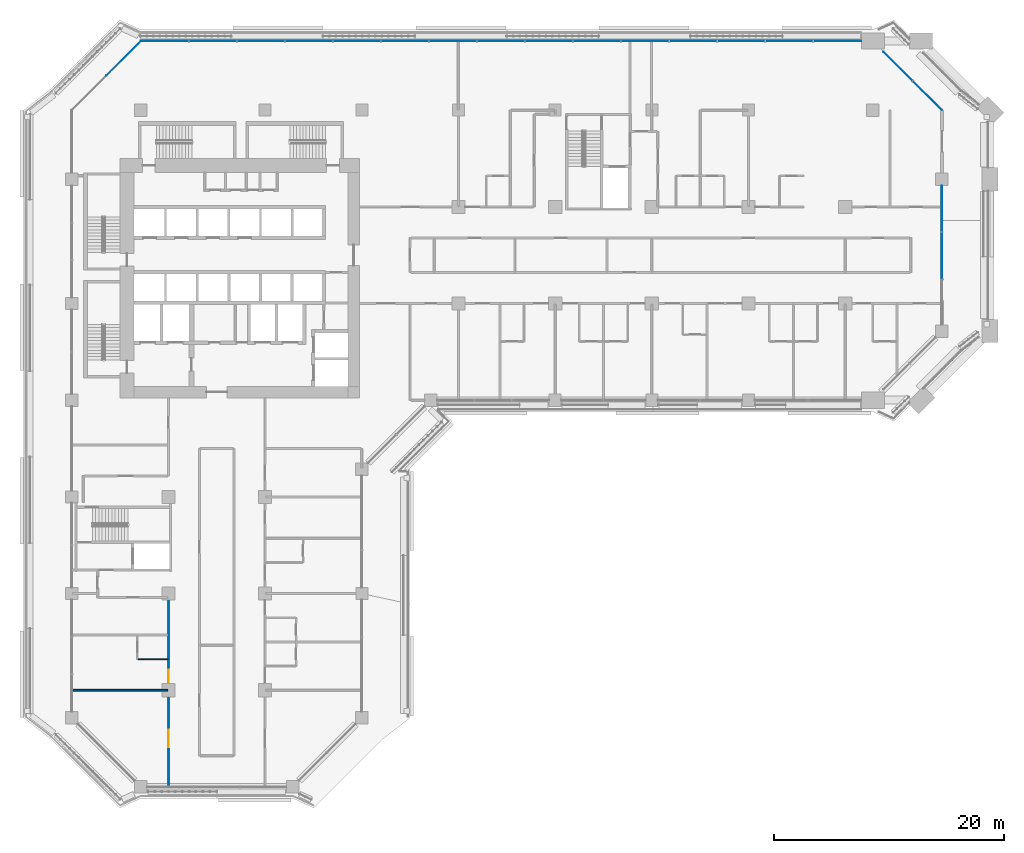
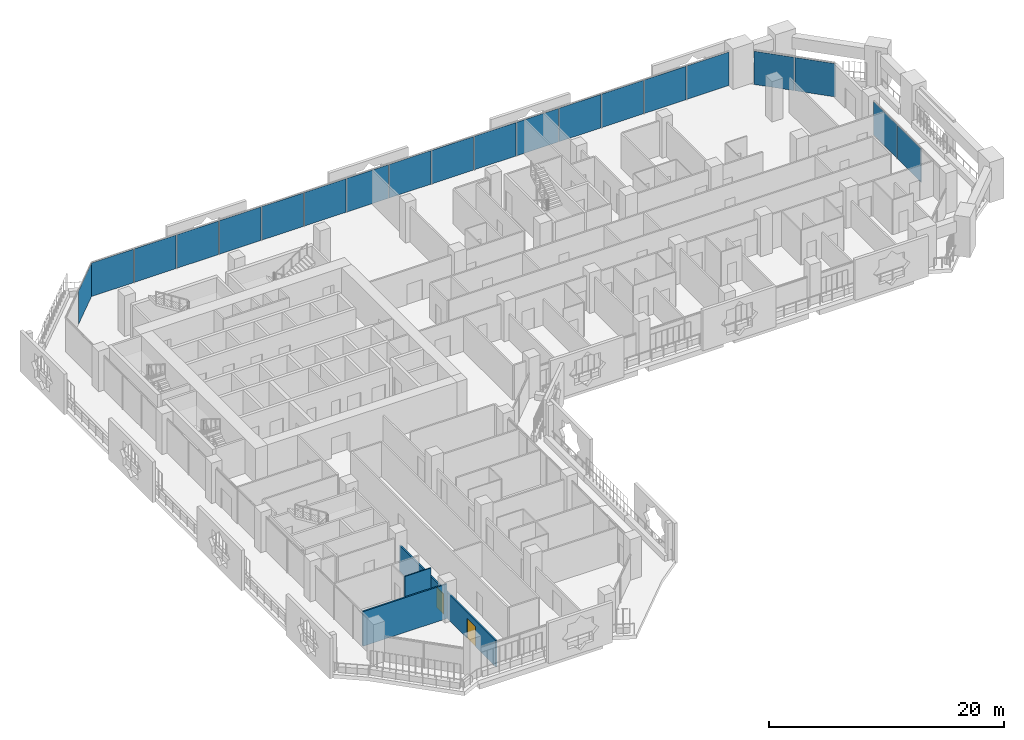
# One storey, part 12 of 27: 20 plates, 3 walls, 2 doors, 2 openings, 4 elements without a shape of their own.
"""IFC4 building model written with IfcOpenShell, lengths in metres."""

from ifc_helpers import new_model, si_unit, direction, frame, frame_2d, origin, origin_2d, place, context, subcontext, project, spatial, rectangle, extrude, material, layer, layer_set, type_object, element, fill, aggregate, save


model = new_model("IFC4")

# Units and contexts
model_context = context("Model", 3, precision=1e-05, world=origin(), true_north=direction((0.0, 1.0)))
body_context = subcontext(model_context, "Body", "Model", "MODEL_VIEW")
ifc_project = project(units=[si_unit("LENGTHUNIT", "METRE"), si_unit("AREAUNIT", "SQUARE_METRE"), si_unit("VOLUMEUNIT", "CUBIC_METRE"), si_unit("PLANEANGLEUNIT", "RADIAN"), si_unit("MASSUNIT", "GRAM", prefix="KILO")], contexts=[model_context])

# Site, building, storey
site_placement = place(None, origin())
site = spatial("IfcSite", under=ifc_project, at=site_placement, CompositionType="ELEMENT")
building_placement = place(site_placement, origin())
building = spatial("IfcBuilding", under=site, at=building_placement, Name="Kawkab Arch Medical Tower", CompositionType="ELEMENT")
storey_placement = place(building_placement, frame((0.0, 0.0, 115.60009765625)))
storey = spatial("IfcBuildingStorey", under=building, at=storey_placement, Name="L26", CompositionType="ELEMENT", Elevation=115.60009765625)

# Curtain wall, plates
ifc_material_1 = material(Name="Bronze anodised aluminium curtain wall frame", Category="aluminium")
ifc_layer_1 = layer(ifc_material_1, 0.159912109375)
ifc_layer_set_1 = layer_set([ifc_layer_1], Name="Bronze anodised aluminium curtain wall frame")
curtain_wall_type_1 = type_object("IfcCurtainWallType", Name="CW1 ward curtain wall", PredefinedType="NOTDEFINED", material=ifc_layer_set_1)
placement = place(storey_placement, origin())
curtain_wall_1 = element("IfcCurtainWall", 1, at=placement, inside=storey, type_object=curtain_wall_type_1, Name="CW1 Ward curtain wall R09", PredefinedType="NOTDEFINED")
ifc_material_2 = material(Name="Tinted insulating glass, bronze low-e coating", Category="glass")
ifc_layer_2 = layer(ifc_material_2, 0.031982421875)
ifc_layer_set_2 = layer_set([ifc_layer_2], Name="Tinted insulating glass, bronze low-e coating")
plate_type_1 = type_object("IfcPlateType", Name="CW1 glazing unit 32", PredefinedType="CURTAIN_PANEL", material=ifc_layer_set_2)
plate_1_placement = place(storey_placement, frame((75.60009765625, -12.614990234375, 0.0), z_axis=(0.0, 0.0, 1.0), x_axis=(0.0, 1.0, 0.0)))
plate_1 = element("IfcPlate", 2, at=plate_1_placement, type_object=plate_type_1, Name="CW1 glazing unit 1.2", PredefinedType="CURTAIN_PANEL", context=body_context, shape_type="SweptSolid", body=[
    extrude(rectangle(XDim=4.00341796875, YDim=0.031982421875, at=origin_2d()), origin(), (0.0, 0.0, 1.0), 3.47998046875),
])
plate_2_placement = place(storey_placement, frame((75.60009765625, -8.5517578125, 0.0), z_axis=(0.0, 0.0, 1.0), x_axis=(0.0, 1.0, 0.0)))
plate_2 = element("IfcPlate", 3, at=plate_2_placement, type_object=plate_type_1, Name="CW1 glazing unit 1.3", PredefinedType="CURTAIN_PANEL", context=body_context, shape_type="SweptSolid", body=[
    extrude(rectangle(XDim=4.00341796875, YDim=0.031982421875, at=origin_2d()), origin(), (0.0, 0.0, 1.0), 3.47998046875),
])
aggregate(curtain_wall_1, [plate_1, plate_2])

curtain_wall_2 = element("IfcCurtainWall", 4, at=placement, inside=storey, type_object=curtain_wall_type_1, Name="CW1 Ward curtain wall R11", PredefinedType="NOTDEFINED")
plate_3_placement = place(storey_placement, frame((66.5283203125, 6.0, 0.0), z_axis=(0.0, 0.0, 1.0), x_axis=(-1.0, 0.0, 0.0)))
plate_3 = element("IfcPlate", 5, at=plate_3_placement, type_object=plate_type_1, Name="CW1 glazing unit 1.1", PredefinedType="CURTAIN_PANEL", context=body_context, shape_type="SweptSolid", body=[
    extrude(rectangle(XDim=4.143310546875, YDim=0.031982421875, at=origin_2d()), origin(), (0.0, 0.0, 1.0), 3.47998046875),
])
plate_4_placement = place(storey_placement, frame((62.340087890625, 6.0, 0.0), z_axis=(0.0, 0.0, 1.0), x_axis=(-1.0, 0.0, 0.0)))
plate_4 = element("IfcPlate", 6, at=plate_4_placement, type_object=plate_type_1, Name="CW1 glazing unit 1.2", PredefinedType="CURTAIN_PANEL", context=body_context, shape_type="SweptSolid", body=[
    extrude(rectangle(XDim=4.11328125, YDim=0.031982421875, at=origin_2d()), origin(), (0.0, 0.0, 1.0), 3.47998046875),
])
plate_5_placement = place(storey_placement, frame((58.166748046875, 6.0, 0.0), z_axis=(0.0, 0.0, 1.0), x_axis=(-1.0, 0.0, 0.0)))
plate_5 = element("IfcPlate", 7, at=plate_5_placement, type_object=plate_type_1, Name="CW1 glazing unit 1.3", PredefinedType="CURTAIN_PANEL", context=body_context, shape_type="SweptSolid", body=[
    extrude(rectangle(XDim=4.11328125, YDim=0.031982421875, at=origin_2d()), origin(), (0.0, 0.0, 1.0), 3.47998046875),
])
plate_6_placement = place(storey_placement, frame((53.993408203125, 6.0, 0.0), z_axis=(0.0, 0.0, 1.0), x_axis=(-1.0, 0.0, 0.0)))
plate_6 = element("IfcPlate", 8, at=plate_6_placement, type_object=plate_type_1, Name="CW1 glazing unit 1.4", PredefinedType="CURTAIN_PANEL", context=body_context, shape_type="SweptSolid", body=[
    extrude(rectangle(XDim=4.11328125, YDim=0.031982421875, at=origin_2d()), origin(), (0.0, 0.0, 1.0), 3.47998046875),
])
plate_7_placement = place(storey_placement, frame((49.820068359375, 6.0, 0.0), z_axis=(0.0, 0.0, 1.0), x_axis=(-1.0, 0.0, 0.0)))
plate_7 = element("IfcPlate", 9, at=plate_7_placement, type_object=plate_type_1, Name="CW1 glazing unit 1.5", PredefinedType="CURTAIN_PANEL", context=body_context, shape_type="SweptSolid", body=[
    extrude(rectangle(XDim=4.11328125, YDim=0.031982421875, at=origin_2d()), origin(), (0.0, 0.0, 1.0), 3.47998046875),
])
plate_8_placement = place(storey_placement, frame((45.646728515625, 6.0, 0.0), z_axis=(0.0, 0.0, 1.0), x_axis=(-1.0, 0.0, 0.0)))
plate_8 = element("IfcPlate", 10, at=plate_8_placement, type_object=plate_type_1, Name="CW1 glazing unit 1.6", PredefinedType="CURTAIN_PANEL", context=body_context, shape_type="SweptSolid", body=[
    extrude(rectangle(XDim=4.11328125, YDim=0.031982421875, at=origin_2d()), origin(), (0.0, 0.0, 1.0), 3.47998046875),
])
plate_9_placement = place(storey_placement, frame((41.473388671875, 6.0, 0.0), z_axis=(0.0, 0.0, 1.0), x_axis=(-1.0, 0.0, 0.0)))
plate_9 = element("IfcPlate", 11, at=plate_9_placement, type_object=plate_type_1, Name="CW1 glazing unit 1.7", PredefinedType="CURTAIN_PANEL", context=body_context, shape_type="SweptSolid", body=[
    extrude(rectangle(XDim=4.11328125, YDim=0.031982421875, at=origin_2d()), origin(), (0.0, 0.0, 1.0), 3.47998046875),
])
plate_10_placement = place(storey_placement, frame((37.300048828125, 6.0, 0.0), z_axis=(0.0, 0.0, 1.0), x_axis=(-1.0, 0.0, 0.0)))
plate_10 = element("IfcPlate", 12, at=plate_10_placement, type_object=plate_type_1, Name="CW1 glazing unit 1.8", PredefinedType="CURTAIN_PANEL", context=body_context, shape_type="SweptSolid", body=[
    extrude(rectangle(XDim=4.11328125, YDim=0.031982421875, at=origin_2d()), origin(), (0.0, 0.0, 1.0), 3.47998046875),
])
plate_11_placement = place(storey_placement, frame((33.126708984375, 6.0, 0.0), z_axis=(0.0, 0.0, 1.0), x_axis=(-1.0, 0.0, 0.0)))
plate_11 = element("IfcPlate", 13, at=plate_11_placement, type_object=plate_type_1, Name="CW1 glazing unit 1.9", PredefinedType="CURTAIN_PANEL", context=body_context, shape_type="SweptSolid", body=[
    extrude(rectangle(XDim=4.11328125, YDim=0.031982421875, at=origin_2d()), origin(), (0.0, 0.0, 1.0), 3.47998046875),
])
plate_12_placement = place(storey_placement, frame((28.953369140625, 6.0, 0.0), z_axis=(0.0, 0.0, 1.0), x_axis=(-1.0, 0.0, 0.0)))
plate_12 = element("IfcPlate", 14, at=plate_12_placement, type_object=plate_type_1, Name="CW1 glazing unit 1.10", PredefinedType="CURTAIN_PANEL", context=body_context, shape_type="SweptSolid", body=[
    extrude(rectangle(XDim=4.11328125, YDim=0.031982421875, at=origin_2d()), origin(), (0.0, 0.0, 1.0), 3.47998046875),
])
plate_13_placement = place(storey_placement, frame((24.780029296875, 6.0, 0.0), z_axis=(0.0, 0.0, 1.0), x_axis=(-1.0, 0.0, 0.0)))
plate_13 = element("IfcPlate", 15, at=plate_13_placement, type_object=plate_type_1, Name="CW1 glazing unit 1.11", PredefinedType="CURTAIN_PANEL", context=body_context, shape_type="SweptSolid", body=[
    extrude(rectangle(XDim=4.11328125, YDim=0.031982421875, at=origin_2d()), origin(), (0.0, 0.0, 1.0), 3.47998046875),
])
plate_14_placement = place(storey_placement, frame((20.606689453125, 6.0, 0.0), z_axis=(0.0, 0.0, 1.0), x_axis=(-1.0, 0.0, 0.0)))
plate_14 = element("IfcPlate", 16, at=plate_14_placement, type_object=plate_type_1, Name="CW1 glazing unit 1.12", PredefinedType="CURTAIN_PANEL", context=body_context, shape_type="SweptSolid", body=[
    extrude(rectangle(XDim=4.11328125, YDim=0.031982421875, at=origin_2d()), origin(), (0.0, 0.0, 1.0), 3.47998046875),
])
plate_15_placement = place(storey_placement, frame((16.433349609375, 6.0, 0.0), z_axis=(0.0, 0.0, 1.0), x_axis=(-1.0, 0.0, 0.0)))
plate_15 = element("IfcPlate", 17, at=plate_15_placement, type_object=plate_type_1, Name="CW1 glazing unit 1.13", PredefinedType="CURTAIN_PANEL", context=body_context, shape_type="SweptSolid", body=[
    extrude(rectangle(XDim=4.11328125, YDim=0.031982421875, at=origin_2d()), origin(), (0.0, 0.0, 1.0), 3.47998046875),
])
plate_16_placement = place(storey_placement, frame((12.260009765625, 6.0, 0.0), z_axis=(0.0, 0.0, 1.0), x_axis=(-1.0, 0.0, 0.0)))
plate_16 = element("IfcPlate", 18, at=plate_16_placement, type_object=plate_type_1, Name="CW1 glazing unit 1.14", PredefinedType="CURTAIN_PANEL", context=body_context, shape_type="SweptSolid", body=[
    extrude(rectangle(XDim=4.11328125, YDim=0.031982421875, at=origin_2d()), origin(), (0.0, 0.0, 1.0), 3.47998046875),
])
plate_17_placement = place(storey_placement, frame((8.07177734375, 6.0, 0.0), z_axis=(0.0, 0.0, 1.0), x_axis=(-1.0, 0.0, 0.0)))
plate_17 = element("IfcPlate", 19, at=plate_17_placement, type_object=plate_type_1, Name="CW1 glazing unit 1.15", PredefinedType="CURTAIN_PANEL", context=body_context, shape_type="SweptSolid", body=[
    extrude(rectangle(XDim=4.143310546875, YDim=0.031982421875, at=origin_2d()), origin(), (0.0, 0.0, 1.0), 3.47998046875),
])
aggregate(curtain_wall_2, [plate_3, plate_4, plate_5, plate_6, plate_7, plate_8, plate_9, plate_10, plate_11, plate_12, plate_13, plate_14, plate_15, plate_16, plate_17])

ifc_material_3 = material(Name="Bronze anodised aluminium curtain wall frame", Category="aluminium")
ifc_layer_3 = layer(ifc_material_3, 0.159912109375)
ifc_layer_set_3 = layer_set([ifc_layer_3], Name="Bronze anodised aluminium curtain wall frame")
curtain_wall_type_2 = type_object("IfcCurtainWallType", Name="CW2 chamfer curtain wall", PredefinedType="NOTDEFINED", material=ifc_layer_set_3)
curtain_wall_3 = element("IfcCurtainWall", 20, at=placement, inside=storey, type_object=curtain_wall_type_2, Name="CW2 Chamfer curtain wall R10", PredefinedType="NOTDEFINED")
ifc_material_4 = material(Name="Tinted insulating glass, bronze low-e coating", Category="glass")
ifc_layer_4 = layer(ifc_material_4, 0.031982421875)
ifc_layer_set_4 = layer_set([ifc_layer_4], Name="Tinted insulating glass, bronze low-e coating")
plate_type_2 = type_object("IfcPlateType", Name="CW2 glazing unit 32", PredefinedType="CURTAIN_PANEL", material=ifc_layer_set_4)
plate_18_placement = place(storey_placement, frame((74.34326171875, 1.2568359375, 0.0), z_axis=(0.0, 0.0, 1.0), x_axis=(-0.707106781187, 0.707106781187, 0.0)))
plate_18 = element("IfcPlate", 21, at=plate_18_placement, type_object=plate_type_2, Name="CW2 glazing unit 1.1", PredefinedType="CURTAIN_PANEL", context=body_context, shape_type="SweptSolid", body=[
    extrude(rectangle(XDim=3.5546875, YDim=0.031982421875, at=origin_2d()), origin(), (0.0, 0.0, 1.0), 3.4599609375),
])
plate_19_placement = place(storey_placement, frame((71.787109375, 3.812744140625, 0.0), z_axis=(0.0, 0.0, 1.0), x_axis=(-0.707106781187, 0.707106781187, 0.0)))
plate_19 = element("IfcPlate", 22, at=plate_19_placement, type_object=plate_type_2, Name="CW2 glazing unit 1.2", PredefinedType="CURTAIN_PANEL", context=body_context, shape_type="SweptSolid", body=[
    extrude(rectangle(XDim=3.5546875, YDim=0.031982421875, at=origin_2d()), origin(), (0.0, 0.0, 1.0), 3.4599609375),
])
aggregate(curtain_wall_3, [plate_18, plate_19])

# Curtain wall, plate
curtain_wall_4 = element("IfcCurtainWall", 23, at=placement, inside=storey, type_object=curtain_wall_type_2, Name="CW2 Chamfer curtain wall R12", PredefinedType="NOTDEFINED")
plate_20_placement = place(storey_placement, frame((4.5, 4.5, 0.0), z_axis=(0.0, 0.0, 1.0), x_axis=(-0.707106781187, -0.707106781187, 0.0)))
plate_20 = element("IfcPlate", 24, at=plate_20_placement, type_object=plate_type_2, Name="CW2 glazing unit 1.1", PredefinedType="CURTAIN_PANEL", context=body_context, shape_type="SweptSolid", body=[
    extrude(rectangle(XDim=4.24267578125, YDim=0.031982421875, at=origin_2d()), origin(), (0.0, 0.0, 1.0), 3.4599609375),
])
aggregate(curtain_wall_4, [plate_20])

# Walls
ifc_material_5 = material(Name="Gypsum board partition on steel studs", Category="steel")
ifc_layer_5 = layer(ifc_material_5, 0.10009765625)
ifc_layer_set_5 = layer_set([ifc_layer_5], Name="Gypsum board partition on steel studs")
wall_type_1 = type_object("IfcWallType", Name="Partition 100", PredefinedType="PARTITIONING", material=ifc_layer_set_5)
wall_1_placement = place(storey_placement, frame((5.75, -47.699951171875, 0.0), z_axis=(0.0, 0.0, 1.0), x_axis=(1.0, 0.0, 0.0)))
element("IfcWall", 25, at=wall_1_placement, inside=storey, type_object=wall_type_1, Name="Partition 100 w002", PredefinedType="PARTITIONING", context=body_context, shape_type="SweptSolid", body=[
    extrude(rectangle(XDim=2.574951171875, YDim=0.10009765625, at=frame_2d((1.28759765625, 0.0))), origin(), (0.0, 0.0, 1.0), 3.599853515625),
])
ifc_material_6 = material(Name="Gypsum board partition on steel studs, mineral wool", Category="steel")
ifc_layer_6 = layer(ifc_material_6, 0.14990234375)
ifc_layer_set_6 = layer_set([ifc_layer_6], Name="Gypsum board partition on steel studs, mineral wool")
wall_type_2 = type_object("IfcWallType", Name="Partition 150", PredefinedType="PARTITIONING", material=ifc_layer_set_6)
wall_2_placement = place(storey_placement, frame((0.080078125, -50.39990234375, 0.0), z_axis=(0.0, 0.0, 1.0), x_axis=(1.0, 0.0, 0.0)))
element("IfcWall", 26, at=wall_2_placement, inside=storey, type_object=wall_type_2, Name="Partition 150 w028", PredefinedType="PARTITIONING", context=body_context, shape_type="SweptSolid", body=[
    extrude(rectangle(XDim=8.244873046875, YDim=0.14990234375, at=frame_2d((4.12255859375, 0.0))), origin(), (0.0, 0.0, 1.0), 3.599853515625),
])

# Wall, openings, doors
wall_3_placement = place(storey_placement, frame((8.39990234375, -58.719970703125, 0.0), z_axis=(0.0, 0.0, 1.0), x_axis=(0.0, 1.0, 0.0)))
wall_3 = element("IfcWall", 27, at=wall_3_placement, inside=storey, type_object=wall_type_2, Name="Partition 150 w058", PredefinedType="PARTITIONING", context=body_context, shape_type="SweptSolid", body=[
    extrude(rectangle(XDim=16.369873046875, YDim=0.14990234375, at=frame_2d((8.18505859375, 0.0))), origin(), (0.0, 0.0, 1.0), 2.699951171875),
])
opening_1_placement = place(wall_3_placement, frame((8.919921875, 0.0, 0.0)))
opening_1 = element("IfcOpeningElement", 28, at=opening_1_placement, cuts=wall_3, Name="Opening W26-053", PredefinedType="OPENING", context=body_context, shape_type="SweptSolid", body=[
    extrude(rectangle(XDim=1.199951171875, YDim=2.10009765625, at=frame_2d((0.60009765625, 1.050048828125))), frame((0.0, 0.0849609375, 0.0), z_axis=(0.0, -1.0, 0.0), x_axis=(1.0, 0.0, 0.0)), (0.0, 0.0, 1.0), 0.169921875),
])
opening_2_placement = place(wall_3_placement, frame((3.3701171875, 0.0, 0.0)))
opening_2 = element("IfcOpeningElement", 29, at=opening_2_placement, cuts=wall_3, Name="Opening W26-003", PredefinedType="OPENING", context=body_context, shape_type="SweptSolid", body=[
    extrude(rectangle(XDim=1.5, YDim=2.10009765625, at=frame_2d((0.75, 1.050048828125))), frame((0.0, 0.0849609375, 0.0), z_axis=(0.0, -1.0, 0.0), x_axis=(1.0, 0.0, 0.0)), (0.0, 0.0, 1.0), 0.169921875),
])
ifc_material_7 = material(Name="Hollow metal door leaf")
door_type_1 = type_object("IfcDoorType", Name="Double door 1500x2100 FD30S", OperationType="NOTDEFINED", PredefinedType="DOOR", material=ifc_material_7)
door_1_placement = place(opening_2_placement, origin())
door_1 = element("IfcDoor", 30, at=door_1_placement, inside=storey, type_object=door_type_1, Name="Door W26-003", OperationType="DOUBLE_DOOR_SINGLE_SWING", OverallHeight=2.10009765625, OverallWidth=1.5, PredefinedType="DOOR", context=body_context, shape_type="SweptSolid", body=[
    extrude(rectangle(XDim=1.5, YDim=2.10009765625, at=frame_2d((0.75, 1.050048828125))), frame((0.0, 0.02490234375, 0.0), z_axis=(0.0, -1.0, 0.0), x_axis=(1.0, 0.0, 0.0)), (0.0, 0.0, 1.0), 0.050048828125),
])
fill(opening_2, door_1)
ifc_material_8 = material(Name="Hollow metal door leaf")
door_type_2 = type_object("IfcDoorType", Name="Single door 1200x2100 FD30S", OperationType="NOTDEFINED", PredefinedType="DOOR", material=ifc_material_8)
door_2_placement = place(opening_1_placement, origin())
door_2 = element("IfcDoor", 31, at=door_2_placement, inside=storey, type_object=door_type_2, Name="Door W26-053", OperationType="SINGLE_SWING_RIGHT", OverallHeight=2.10009765625, OverallWidth=1.199951171875, PredefinedType="DOOR", context=body_context, shape_type="SweptSolid", body=[
    extrude(rectangle(XDim=1.199951171875, YDim=2.10009765625, at=frame_2d((0.60009765625, 1.050048828125))), frame((0.0, 0.02490234375, 0.0), z_axis=(0.0, -1.0, 0.0), x_axis=(1.0, 0.0, 0.0)), (0.0, 0.0, 1.0), 0.050048828125),
])
fill(opening_1, door_2)

save(model, "model.ifc")
